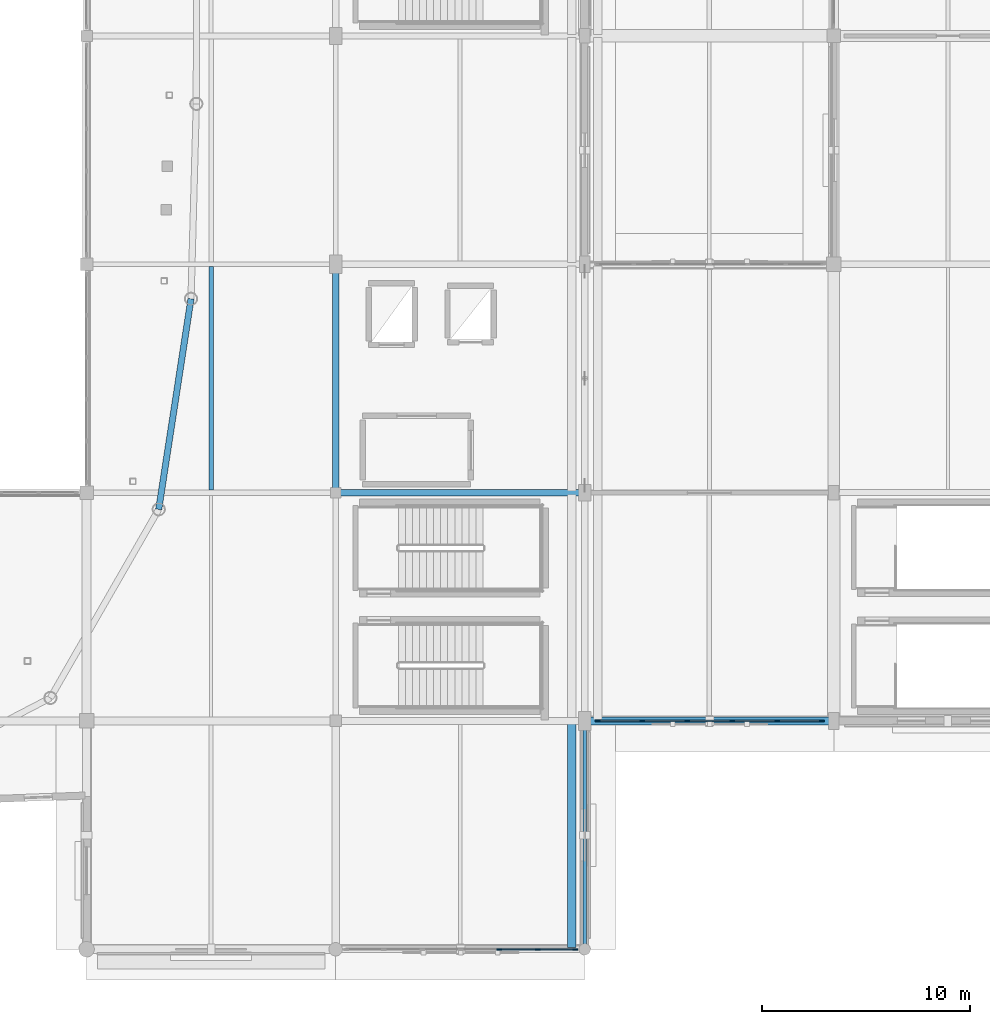
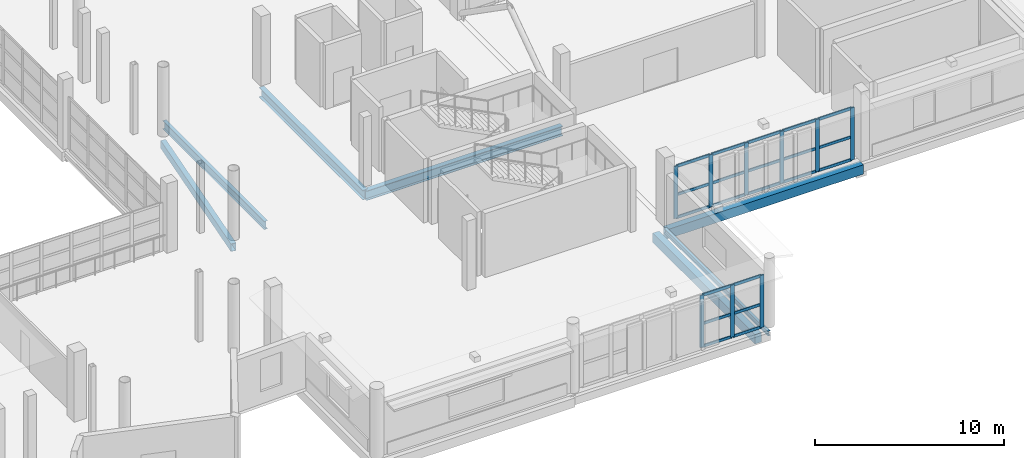
# One storey, part 52 of 118: 30 members, 7 beams, 2 elements without a shape of their own.
"""IFC4 building model written with IfcOpenShell, lengths in metres."""

import ifcopenshell
import ifcopenshell.guid

model = None  # the IFC model being written
_history = None  # IfcOwnerHistory: only IFC2X3 demands one
_inside = {}  # id of a spatial element -> (the spatial element, [elements in it])
_under = {}  # id of a project, library or spatial element -> (it, [spatial elements below it])
_declared = {}  # id of a project -> (the project, [libraries it declares])
_typed = {}  # id of a type object -> (the type object, [elements of that type])
_made_of = {}  # id of a material, layer set ... -> (it, [elements and type objects made of it])


def new_model(schema):
    """Start an empty IFC model of exactly this schema.

    Asked for "IFC4X3", IfcOpenShell would pick the latest addendum, in which some entities
    have other attributes; the version numbers below select the first issue.
    IFC2X3 requires an IfcOwnerHistory on every rooted entity: one is made here for all.
    """
    global model, _history
    if schema == "IFC4X3":
        model = ifcopenshell.file(schema_version=(4, 3, 0, 0))
    else:
        model = ifcopenshell.file(schema=schema)
    _inside.clear()
    _under.clear()
    _declared.clear()
    _typed.clear()
    _made_of.clear()
    _history = None
    if model.schema == "IFC2X3":
        org = make("IfcOrganization", Name="unknown")
        user = make(
            "IfcPersonAndOrganization",
            ThePerson=make("IfcPerson", FamilyName="unknown"),
            TheOrganization=org,
        )
        app = make(
            "IfcApplication",
            ApplicationDeveloper=org,
            Version="unknown",
            ApplicationFullName="unknown",
            ApplicationIdentifier="unknown",
        )
        _history = make(
            "IfcOwnerHistory",
            OwningUser=user,
            OwningApplication=app,
            ChangeAction="ADDED",
            CreationDate=0,
        )
    return model


def make(cls, **values):
    """One entity of the class cls with the attributes given. An attribute that is None is left unset."""
    return model.create_entity(
        cls, **{name: value for name, value in values.items() if value is not None}
    )


def rooted(cls, **values):
    """An entity with a GlobalId (a new one), such as an element, a storey or a relation."""
    return make(cls, GlobalId=ifcopenshell.guid.new(), OwnerHistory=_history, **values)


def si_unit(unit_type, name, prefix=None):
    """IfcSIUnit, for example si_unit("LENGTHUNIT", "METRE", prefix="MILLI")."""
    return make("IfcSIUnit", UnitType=unit_type, Prefix=prefix, Name=name)


def assignment(units):
    """IfcUnitAssignment: the units of a project."""
    return None if units is None else make("IfcUnitAssignment", Units=units)


def point(xyz):
    """IfcCartesianPoint."""
    return None if xyz is None else make("IfcCartesianPoint", Coordinates=xyz)


def direction(xyz):
    """IfcDirection."""
    return None if xyz is None else make("IfcDirection", DirectionRatios=xyz)


def frame(location, z_axis=None, x_axis=None):
    """IfcAxis2Placement3D, a coordinate frame: its origin and axes. An axis left out is left unset."""
    return make(
        "IfcAxis2Placement3D",
        Location=point(location),
        Axis=direction(z_axis),
        RefDirection=direction(x_axis),
    )


def frame_2d(location, x_axis=None):
    """IfcAxis2Placement2D, a coordinate frame in the plane: its origin and x axis."""
    return make(
        "IfcAxis2Placement2D", Location=point(location), RefDirection=direction(x_axis)
    )


def origin():
    """The frame at (0, 0, 0) with its axes left unset."""
    return frame((0.0, 0.0, 0.0))


def origin_2d():
    """The frame at (0, 0) in the plane with its x axis left unset."""
    return frame_2d((0.0, 0.0))


def place(relative_to, where):
    """IfcLocalPlacement: puts the frame where relative to a parent placement (None: the world)."""
    return make(
        "IfcLocalPlacement", PlacementRelTo=relative_to, RelativePlacement=where
    )


def context(
    kind, dimensions, precision=None, world=None, true_north=None, identifier=None
):
    """IfcGeometricRepresentationContext, for example the 3D "Model" context."""
    return make(
        "IfcGeometricRepresentationContext",
        ContextIdentifier=identifier,
        ContextType=kind,
        CoordinateSpaceDimension=dimensions,
        Precision=precision,
        WorldCoordinateSystem=world,
        TrueNorth=true_north,
    )


def subcontext(parent, identifier, kind, view, scale=None):
    """IfcGeometricRepresentationSubContext, for example "Body" below "Model"."""
    return make(
        "IfcGeometricRepresentationSubContext",
        ContextIdentifier=identifier,
        ContextType=kind,
        ParentContext=parent,
        TargetScale=scale,
        TargetView=view,
    )


def project(units=None, contexts=None):
    """IfcProject with its units and contexts."""
    return rooted(
        "IfcProject",
        Name="project",
        RepresentationContexts=contexts,
        UnitsInContext=assignment(units),
    )


def spatial(cls, under=None, at=None, **own):
    """A site, building, storey or space (cls), placed at a placement, below another one or the project."""
    s = rooted(cls, ObjectPlacement=at, **own)
    if under is not None:
        _under.setdefault(under.id(), (under, []))[1].append(s)
    return s


def profile(cls, at=None, kind="AREA", **sizes):
    """A parametric profile (cls). Its sizes go by their IFC names, for example OverallWidth=200.0."""
    return make(cls, ProfileType=kind, Position=at, **sizes)


def rectangle(**sizes):
    """IfcRectangleProfileDef."""
    return profile("IfcRectangleProfileDef", **sizes)


def hollow_rectangle(**sizes):
    """IfcRectangleHollowProfileDef."""
    return profile("IfcRectangleHollowProfileDef", **sizes)


def i_section(**sizes):
    """IfcIShapeProfileDef."""
    return profile("IfcIShapeProfileDef", **sizes)


def extrude(swept, where, along, depth):
    """IfcExtrudedAreaSolid: the profile swept, set in the frame where, extruded along a direction by depth."""
    return make(
        "IfcExtrudedAreaSolid",
        SweptArea=swept,
        Position=where,
        ExtrudedDirection=direction(along),
        Depth=depth,
    )


def shape(context_of_items, identifier, shape_type, items):
    """IfcShapeRepresentation: the items that make up one representation, for example the "Body"."""
    return make(
        "IfcShapeRepresentation",
        ContextOfItems=context_of_items,
        RepresentationIdentifier=identifier,
        RepresentationType=shape_type,
        Items=items,
    )


def material(Name=None, Category=None):
    """IfcMaterial."""
    return make("IfcMaterial", Name=Name, Category=Category)


def material_profile(
    of_material, cross_section, Name=None, Category=None, Priority=None
):
    """IfcMaterialProfile: a cross section and its material."""
    return make(
        "IfcMaterialProfile",
        Name=Name,
        Material=of_material,
        Profile=cross_section,
        Priority=Priority,
        Category=Category,
    )


def profile_set(profiles, Name=None, composite=None):
    """IfcMaterialProfileSet."""
    return make(
        "IfcMaterialProfileSet",
        Name=Name,
        MaterialProfiles=profiles,
        CompositeProfile=composite,
    )


def made_of(thing, what):
    """Note that an element or type object is made of a material, layer set ...; save() writes the relation."""
    if what is not None:
        _made_of.setdefault(what.id(), (what, []))[1].append(thing)
    return thing


def type_object(cls, material=None, **own):
    """A type object (cls), such as IfcWallType, which elements share."""
    return made_of(rooted(cls, **own), material)


def element(
    cls,
    number,
    at=None,
    inside=None,
    cuts=None,
    type_object=None,
    material=None,
    context=None,
    identifier="Body",
    shape_type=None,
    held_by="IfcProductDefinitionShape",
    body=None,
    shapes=None,
    **own,
):
    """One element of the class cls, such as IfcWall. Its Tag is "e" and its number.

    at: its placement. inside: the storey or other place that contains it. cuts: it is an
    opening in that element (IfcRelVoidsElement). A single representation is given by context,
    identifier, shape_type and body (its items); several are given by shapes. held_by: the class
    of the entity that holds the representations. save() writes the other relations.
    """
    e = rooted(cls, Tag="e%d" % number, ObjectPlacement=at, **own)
    if body is not None:
        shapes = [shape(context, identifier, shape_type, body)]
    if shapes is not None:
        e.Representation = make(held_by, Representations=shapes)
    if inside is not None:
        _inside.setdefault(inside.id(), (inside, []))[1].append(e)
    if cuts is not None:
        rooted(
            "IfcRelVoidsElement", RelatingBuildingElement=cuts, RelatedOpeningElement=e
        )
    if type_object is not None:
        _typed.setdefault(type_object.id(), (type_object, []))[1].append(e)
    return made_of(e, material)


def aggregate(whole, parts):
    """IfcRelAggregates: a whole, such as a stair, and the parts it consists of."""
    return rooted("IfcRelAggregates", RelatingObject=whole, RelatedObjects=parts)


def save(model, path):
    """Write the relations noted so far, then the file.

    IfcRelAggregates (storeys below a building ...), IfcRelContainedInSpatialStructure (elements
    in a storey), IfcRelDefinesByType, IfcRelAssociatesMaterial and IfcRelDeclares: one each for
    every whole, place, type object, material and project.
    """
    for whole, parts in _under.values():
        aggregate(whole, parts)
    for where, things in _inside.values():
        rooted(
            "IfcRelContainedInSpatialStructure",
            RelatedElements=things,
            RelatingStructure=where,
        )
    for kind, things in _typed.values():
        rooted("IfcRelDefinesByType", RelatedObjects=things, RelatingType=kind)
    for what, things in _made_of.values():
        rooted("IfcRelAssociatesMaterial", RelatedObjects=things, RelatingMaterial=what)
    for by, libraries in _declared.values():
        rooted("IfcRelDeclares", RelatingContext=by, RelatedDefinitions=libraries)
    model.write(path)


model = new_model("IFC4")

# Units and contexts
model_context = context("Model", 3, precision=1e-05, world=origin(), true_north=direction((0.0, 1.0)))
body_context = subcontext(model_context, "Body", "Model", "MODEL_VIEW")
ifc_project = project(units=[si_unit("LENGTHUNIT", "METRE"), si_unit("AREAUNIT", "SQUARE_METRE"), si_unit("VOLUMEUNIT", "CUBIC_METRE"), si_unit("PLANEANGLEUNIT", "RADIAN"), si_unit("MASSUNIT", "GRAM", prefix="KILO")], contexts=[model_context])

# Site, building, storey
site_placement = place(None, origin())
site = spatial("IfcSite", under=ifc_project, at=site_placement, CompositionType="ELEMENT")
building_placement = place(site_placement, origin())
building = spatial("IfcBuilding", under=site, at=building_placement, Name="Luwafu Chhajja Arena", CompositionType="ELEMENT")
storey_placement = place(building_placement, frame((0.0, 0.0, 10.199951171875)))
storey = spatial("IfcBuildingStorey", under=building, at=storey_placement, Name="L02", CompositionType="ELEMENT", Elevation=10.199951171875)

# Curtain wall, members
ifc_material_1 = material(Name="Anodised bronze aluminium", Category="aluminium")
curtain_wall_type_1 = type_object("IfcCurtainWallType", Name="Media Ribbon Curtain Wall", PredefinedType="USERDEFINED", material=ifc_material_1)
curtain_wall_1_placement = place(storey_placement, origin())
curtain_wall_1 = element("IfcCurtainWall", 1, at=curtain_wall_1_placement, inside=storey, type_object=curtain_wall_type_1, Name="L02 Curtain Wall CWG-L02-H13_00", ObjectType="CURTAIN WALL", PredefinedType="USERDEFINED")
ifc_material_profile_1 = material_profile(ifc_material_1, rectangle(XDim=0.070068359375, YDim=0.239990234375, at=origin_2d()), Name="CWM 70x240")
ifc_profile_set_1 = profile_set([ifc_material_profile_1], Name="Anodised bronze aluminium")
member_type_1 = type_object("IfcMemberType", Name="Bronze Curtain Wall Mullion 70x240", PredefinedType="MULLION", material=ifc_profile_set_1)
member_1_placement = place(storey_placement, frame((159.87841796875, 0.0, 0.030029296875), z_axis=(0.0, 0.0, 1.0), x_axis=(0.0, 1.0, 0.0)))
member_1 = element("IfcMember", 2, at=member_1_placement, type_object=member_type_1, Name="CW-03 mullion 5", PredefinedType="MULLION", context=body_context, shape_type="SweptSolid", body=[
    extrude(rectangle(XDim=0.070068359375, YDim=0.239990234375, at=origin_2d()), origin(), (0.0, 0.0, 1.0), 3.375),
])
member_2_placement = place(storey_placement, frame((161.731689453125, 0.0, 0.030029296875), z_axis=(0.0, 0.0, 1.0), x_axis=(0.0, 1.0, 0.0)))
member_2 = element("IfcMember", 3, at=member_2_placement, type_object=member_type_1, Name="CW-03 mullion 6", PredefinedType="MULLION", context=body_context, shape_type="SweptSolid", body=[
    extrude(rectangle(XDim=0.070068359375, YDim=0.239990234375, at=origin_2d()), origin(), (0.0, 0.0, 1.0), 3.375),
])
member_3_placement = place(storey_placement, frame((163.550048828125, 0.0, 0.030029296875), z_axis=(0.0, 0.0, 1.0), x_axis=(0.0, 1.0, 0.0)))
member_3 = element("IfcMember", 4, at=member_3_placement, type_object=member_type_1, Name="CW-03 mullion 7", PredefinedType="MULLION", context=body_context, shape_type="SweptSolid", body=[
    extrude(rectangle(XDim=0.070068359375, YDim=0.239990234375, at=origin_2d()), origin(), (0.0, 0.0, 1.0), 3.375),
])

curtain_wall_type_2 = type_object("IfcCurtainWallType", Name="Warm-Up Gallery Curtain Wall", PredefinedType="USERDEFINED", material=ifc_material_1)
curtain_wall_2_placement = place(storey_placement, origin())
curtain_wall_2 = element("IfcCurtainWall", 5, at=curtain_wall_2_placement, inside=storey, type_object=curtain_wall_type_2, Name="L02 Curtain Wall CWG-L02-H14_01", ObjectType="CURTAIN WALL", PredefinedType="USERDEFINED")
member_4_placement = place(storey_placement, frame((164.625, 11.0, 0.030029296875), z_axis=(0.0, 0.0, 1.0), x_axis=(0.0, 1.0, 0.0)))
member_4 = element("IfcMember", 6, at=member_4_placement, type_object=member_type_1, Name="CW-08 mullion 1", PredefinedType="MULLION", context=body_context, shape_type="SweptSolid", body=[
    extrude(rectangle(XDim=0.070068359375, YDim=0.239990234375, at=origin_2d()), origin(), (0.0, 0.0, 1.0), 3.375),
])
member_5_placement = place(storey_placement, frame((166.763916015625, 11.0, 0.030029296875), z_axis=(0.0, 0.0, 1.0), x_axis=(0.0, 1.0, 0.0)))
member_5 = element("IfcMember", 7, at=member_5_placement, type_object=member_type_1, Name="CW-08 mullion 2", PredefinedType="MULLION", context=body_context, shape_type="SweptSolid", body=[
    extrude(rectangle(XDim=0.070068359375, YDim=0.239990234375, at=origin_2d()), origin(), (0.0, 0.0, 1.0), 3.375),
])
member_6_placement = place(storey_placement, frame((168.93798828125, 11.0, 0.030029296875), z_axis=(0.0, 0.0, 1.0), x_axis=(0.0, 1.0, 0.0)))
member_6 = element("IfcMember", 8, at=member_6_placement, type_object=member_type_1, Name="CW-08 mullion 3", PredefinedType="MULLION", context=body_context, shape_type="SweptSolid", body=[
    extrude(rectangle(XDim=0.070068359375, YDim=0.239990234375, at=origin_2d()), origin(), (0.0, 0.0, 1.0), 3.375),
])
member_7_placement = place(storey_placement, frame((171.112060546875, 11.0, 0.030029296875), z_axis=(0.0, 0.0, 1.0), x_axis=(0.0, 1.0, 0.0)))
member_7 = element("IfcMember", 9, at=member_7_placement, type_object=member_type_1, Name="CW-08 mullion 4", PredefinedType="MULLION", context=body_context, shape_type="SweptSolid", body=[
    extrude(rectangle(XDim=0.070068359375, YDim=0.239990234375, at=origin_2d()), origin(), (0.0, 0.0, 1.0), 3.375),
])
member_8_placement = place(storey_placement, frame((173.285888671875, 11.0, 0.030029296875), z_axis=(0.0, 0.0, 1.0), x_axis=(0.0, 1.0, 0.0)))
member_8 = element("IfcMember", 10, at=member_8_placement, type_object=member_type_1, Name="CW-08 mullion 5", PredefinedType="MULLION", context=body_context, shape_type="SweptSolid", body=[
    extrude(rectangle(XDim=0.070068359375, YDim=0.239990234375, at=origin_2d()), origin(), (0.0, 0.0, 1.0), 3.375),
])
member_9_placement = place(storey_placement, frame((175.425048828125, 11.0, 0.030029296875), z_axis=(0.0, 0.0, 1.0), x_axis=(0.0, 1.0, 0.0)))
member_9 = element("IfcMember", 11, at=member_9_placement, type_object=member_type_1, Name="CW-08 mullion 6", PredefinedType="MULLION", context=body_context, shape_type="SweptSolid", body=[
    extrude(rectangle(XDim=0.070068359375, YDim=0.239990234375, at=origin_2d()), origin(), (0.0, 0.0, 1.0), 3.375),
])

# Member
ifc_material_profile_2 = material_profile(ifc_material_1, rectangle(XDim=0.070068359375, YDim=0.179931640625, at=origin_2d()), Name="CWT 70x180")
ifc_profile_set_2 = profile_set([ifc_material_profile_2], Name="Anodised bronze aluminium")
member_type_2 = type_object("IfcMemberType", Name="Bronze Curtain Wall Transom 70x180", PredefinedType="USERDEFINED", material=ifc_profile_set_2)
member_10_placement = place(storey_placement, frame((159.913330078125, 0.0, 0.06494140625), z_axis=(1.0, 0.0, 0.0), x_axis=(0.0, 1.0, 0.0)))
member_10 = element("IfcMember", 12, at=member_10_placement, type_object=member_type_2, Name="CW-03 transom 5.1", ObjectType="TRANSOM", PredefinedType="USERDEFINED", context=body_context, shape_type="SweptSolid", body=[
    extrude(rectangle(XDim=0.070068359375, YDim=0.179931640625, at=origin_2d()), origin(), (0.0, 0.0, 1.0), 1.783447265625),
])

member_11_placement = place(storey_placement, frame((159.913330078125, 0.0, 1.532470703125), z_axis=(1.0, 0.0, 0.0), x_axis=(0.0, 1.0, 0.0)))
member_11 = element("IfcMember", 13, at=member_11_placement, type_object=member_type_2, Name="CW-03 transom 5.2", ObjectType="TRANSOM", PredefinedType="USERDEFINED", context=body_context, shape_type="SweptSolid", body=[
    extrude(rectangle(XDim=0.070068359375, YDim=0.179931640625, at=origin_2d()), origin(), (0.0, 0.0, 1.0), 1.783447265625),
])

member_12_placement = place(storey_placement, frame((159.913330078125, 0.0, 3.3701171875), z_axis=(1.0, 0.0, 0.0), x_axis=(0.0, 1.0, 0.0)))
member_12 = element("IfcMember", 14, at=member_12_placement, type_object=member_type_2, Name="CW-03 transom 5.3", ObjectType="TRANSOM", PredefinedType="USERDEFINED", context=body_context, shape_type="SweptSolid", body=[
    extrude(rectangle(XDim=0.070068359375, YDim=0.179931640625, at=origin_2d()), origin(), (0.0, 0.0, 1.0), 1.783447265625),
])

member_13_placement = place(storey_placement, frame((161.7666015625, 0.0, 0.06494140625), z_axis=(1.0, 0.0, 0.0), x_axis=(0.0, 1.0, 0.0)))
member_13 = element("IfcMember", 15, at=member_13_placement, type_object=member_type_2, Name="CW-03 transom 6.1", ObjectType="TRANSOM", PredefinedType="USERDEFINED", context=body_context, shape_type="SweptSolid", body=[
    extrude(rectangle(XDim=0.070068359375, YDim=0.179931640625, at=origin_2d()), origin(), (0.0, 0.0, 1.0), 1.748291015625),
])

member_14_placement = place(storey_placement, frame((161.7666015625, 0.0, 1.532470703125), z_axis=(1.0, 0.0, 0.0), x_axis=(0.0, 1.0, 0.0)))
member_14 = element("IfcMember", 16, at=member_14_placement, type_object=member_type_2, Name="CW-03 transom 6.2", ObjectType="TRANSOM", PredefinedType="USERDEFINED", context=body_context, shape_type="SweptSolid", body=[
    extrude(rectangle(XDim=0.070068359375, YDim=0.179931640625, at=origin_2d()), origin(), (0.0, 0.0, 1.0), 1.748291015625),
])

member_15_placement = place(storey_placement, frame((161.7666015625, 0.0, 3.3701171875), z_axis=(1.0, 0.0, 0.0), x_axis=(0.0, 1.0, 0.0)))
member_15 = element("IfcMember", 17, at=member_15_placement, type_object=member_type_2, Name="CW-03 transom 6.3", ObjectType="TRANSOM", PredefinedType="USERDEFINED", context=body_context, shape_type="SweptSolid", body=[
    extrude(rectangle(XDim=0.070068359375, YDim=0.179931640625, at=origin_2d()), origin(), (0.0, 0.0, 1.0), 1.748291015625),
])

aggregate(curtain_wall_1, [member_1, member_2, member_3, member_10, member_11, member_12, member_13, member_14, member_15])

member_16_placement = place(storey_placement, frame((164.659912109375, 11.0, 0.06494140625), z_axis=(1.0, 0.0, 0.0), x_axis=(0.0, 1.0, 0.0)))
member_16 = element("IfcMember", 18, at=member_16_placement, type_object=member_type_2, Name="CW-08 transom 1.1", ObjectType="TRANSOM", PredefinedType="USERDEFINED", context=body_context, shape_type="SweptSolid", body=[
    extrude(rectangle(XDim=0.070068359375, YDim=0.179931640625, at=origin_2d()), origin(), (0.0, 0.0, 1.0), 2.069091796875),
])

member_17_placement = place(storey_placement, frame((164.659912109375, 11.0, 1.532470703125), z_axis=(1.0, 0.0, 0.0), x_axis=(0.0, 1.0, 0.0)))
member_17 = element("IfcMember", 19, at=member_17_placement, type_object=member_type_2, Name="CW-08 transom 1.2", ObjectType="TRANSOM", PredefinedType="USERDEFINED", context=body_context, shape_type="SweptSolid", body=[
    extrude(rectangle(XDim=0.070068359375, YDim=0.179931640625, at=origin_2d()), origin(), (0.0, 0.0, 1.0), 2.069091796875),
])

member_18_placement = place(storey_placement, frame((164.659912109375, 11.0, 3.3701171875), z_axis=(1.0, 0.0, 0.0), x_axis=(0.0, 1.0, 0.0)))
member_18 = element("IfcMember", 20, at=member_18_placement, type_object=member_type_2, Name="CW-08 transom 1.3", ObjectType="TRANSOM", PredefinedType="USERDEFINED", context=body_context, shape_type="SweptSolid", body=[
    extrude(rectangle(XDim=0.070068359375, YDim=0.179931640625, at=origin_2d()), origin(), (0.0, 0.0, 1.0), 2.069091796875),
])

member_19_placement = place(storey_placement, frame((166.799072265625, 11.0, 0.06494140625), z_axis=(1.0, 0.0, 0.0), x_axis=(0.0, 1.0, 0.0)))
member_19 = element("IfcMember", 21, at=member_19_placement, type_object=member_type_2, Name="CW-08 transom 2.1", ObjectType="TRANSOM", PredefinedType="USERDEFINED", context=body_context, shape_type="SweptSolid", body=[
    extrude(rectangle(XDim=0.070068359375, YDim=0.179931640625, at=origin_2d()), origin(), (0.0, 0.0, 1.0), 2.10400390625),
])

member_20_placement = place(storey_placement, frame((166.799072265625, 11.0, 1.532470703125), z_axis=(1.0, 0.0, 0.0), x_axis=(0.0, 1.0, 0.0)))
member_20 = element("IfcMember", 22, at=member_20_placement, type_object=member_type_2, Name="CW-08 transom 2.2", ObjectType="TRANSOM", PredefinedType="USERDEFINED", context=body_context, shape_type="SweptSolid", body=[
    extrude(rectangle(XDim=0.070068359375, YDim=0.179931640625, at=origin_2d()), origin(), (0.0, 0.0, 1.0), 2.10400390625),
])

member_21_placement = place(storey_placement, frame((166.799072265625, 11.0, 3.3701171875), z_axis=(1.0, 0.0, 0.0), x_axis=(0.0, 1.0, 0.0)))
member_21 = element("IfcMember", 23, at=member_21_placement, type_object=member_type_2, Name="CW-08 transom 2.3", ObjectType="TRANSOM", PredefinedType="USERDEFINED", context=body_context, shape_type="SweptSolid", body=[
    extrude(rectangle(XDim=0.070068359375, YDim=0.179931640625, at=origin_2d()), origin(), (0.0, 0.0, 1.0), 2.10400390625),
])

member_22_placement = place(storey_placement, frame((168.972900390625, 11.0, 0.06494140625), z_axis=(1.0, 0.0, 0.0), x_axis=(0.0, 1.0, 0.0)))
member_22 = element("IfcMember", 24, at=member_22_placement, type_object=member_type_2, Name="CW-08 transom 3.1", ObjectType="TRANSOM", PredefinedType="USERDEFINED", context=body_context, shape_type="SweptSolid", body=[
    extrude(rectangle(XDim=0.070068359375, YDim=0.179931640625, at=origin_2d()), origin(), (0.0, 0.0, 1.0), 2.10400390625),
])

member_23_placement = place(storey_placement, frame((168.972900390625, 11.0, 1.532470703125), z_axis=(1.0, 0.0, 0.0), x_axis=(0.0, 1.0, 0.0)))
member_23 = element("IfcMember", 25, at=member_23_placement, type_object=member_type_2, Name="CW-08 transom 3.2", ObjectType="TRANSOM", PredefinedType="USERDEFINED", context=body_context, shape_type="SweptSolid", body=[
    extrude(rectangle(XDim=0.070068359375, YDim=0.179931640625, at=origin_2d()), origin(), (0.0, 0.0, 1.0), 2.10400390625),
])

member_24_placement = place(storey_placement, frame((168.972900390625, 11.0, 3.3701171875), z_axis=(1.0, 0.0, 0.0), x_axis=(0.0, 1.0, 0.0)))
member_24 = element("IfcMember", 26, at=member_24_placement, type_object=member_type_2, Name="CW-08 transom 3.3", ObjectType="TRANSOM", PredefinedType="USERDEFINED", context=body_context, shape_type="SweptSolid", body=[
    extrude(rectangle(XDim=0.070068359375, YDim=0.179931640625, at=origin_2d()), origin(), (0.0, 0.0, 1.0), 2.10400390625),
])

member_25_placement = place(storey_placement, frame((171.14697265625, 11.0, 0.06494140625), z_axis=(1.0, 0.0, 0.0), x_axis=(0.0, 1.0, 0.0)))
member_25 = element("IfcMember", 27, at=member_25_placement, type_object=member_type_2, Name="CW-08 transom 4.1", ObjectType="TRANSOM", PredefinedType="USERDEFINED", context=body_context, shape_type="SweptSolid", body=[
    extrude(rectangle(XDim=0.070068359375, YDim=0.179931640625, at=origin_2d()), origin(), (0.0, 0.0, 1.0), 2.10400390625),
])

member_26_placement = place(storey_placement, frame((171.14697265625, 11.0, 1.532470703125), z_axis=(1.0, 0.0, 0.0), x_axis=(0.0, 1.0, 0.0)))
member_26 = element("IfcMember", 28, at=member_26_placement, type_object=member_type_2, Name="CW-08 transom 4.2", ObjectType="TRANSOM", PredefinedType="USERDEFINED", context=body_context, shape_type="SweptSolid", body=[
    extrude(rectangle(XDim=0.070068359375, YDim=0.179931640625, at=origin_2d()), origin(), (0.0, 0.0, 1.0), 2.10400390625),
])

member_27_placement = place(storey_placement, frame((171.14697265625, 11.0, 3.3701171875), z_axis=(1.0, 0.0, 0.0), x_axis=(0.0, 1.0, 0.0)))
member_27 = element("IfcMember", 29, at=member_27_placement, type_object=member_type_2, Name="CW-08 transom 4.3", ObjectType="TRANSOM", PredefinedType="USERDEFINED", context=body_context, shape_type="SweptSolid", body=[
    extrude(rectangle(XDim=0.070068359375, YDim=0.179931640625, at=origin_2d()), origin(), (0.0, 0.0, 1.0), 2.10400390625),
])

member_28_placement = place(storey_placement, frame((173.321044921875, 11.0, 0.06494140625), z_axis=(1.0, 0.0, 0.0), x_axis=(0.0, 1.0, 0.0)))
member_28 = element("IfcMember", 30, at=member_28_placement, type_object=member_type_2, Name="CW-08 transom 5.1", ObjectType="TRANSOM", PredefinedType="USERDEFINED", context=body_context, shape_type="SweptSolid", body=[
    extrude(rectangle(XDim=0.070068359375, YDim=0.179931640625, at=origin_2d()), origin(), (0.0, 0.0, 1.0), 2.06884765625),
])

member_29_placement = place(storey_placement, frame((173.321044921875, 11.0, 1.532470703125), z_axis=(1.0, 0.0, 0.0), x_axis=(0.0, 1.0, 0.0)))
member_29 = element("IfcMember", 31, at=member_29_placement, type_object=member_type_2, Name="CW-08 transom 5.2", ObjectType="TRANSOM", PredefinedType="USERDEFINED", context=body_context, shape_type="SweptSolid", body=[
    extrude(rectangle(XDim=0.070068359375, YDim=0.179931640625, at=origin_2d()), origin(), (0.0, 0.0, 1.0), 2.06884765625),
])

member_30_placement = place(storey_placement, frame((173.321044921875, 11.0, 3.3701171875), z_axis=(1.0, 0.0, 0.0), x_axis=(0.0, 1.0, 0.0)))
member_30 = element("IfcMember", 32, at=member_30_placement, type_object=member_type_2, Name="CW-08 transom 5.3", ObjectType="TRANSOM", PredefinedType="USERDEFINED", context=body_context, shape_type="SweptSolid", body=[
    extrude(rectangle(XDim=0.070068359375, YDim=0.179931640625, at=origin_2d()), origin(), (0.0, 0.0, 1.0), 2.06884765625),
])

aggregate(curtain_wall_2, [member_4, member_5, member_6, member_7, member_8, member_9, member_16, member_17, member_18, member_19, member_20, member_21, member_22, member_23, member_24, member_25, member_26, member_27, member_28, member_29, member_30])

# Beams
ifc_material_2 = material(Name="Steel S355", Category="steel")
ifc_material_profile_3 = material_profile(ifc_material_2, i_section(OverallWidth=0.165771484375, OverallDepth=0.306640625, WebThickness=0.006591796875, FlangeThickness=0.01171875, at=origin_2d()), Name="UB 305x165x46")
ifc_profile_set_3 = profile_set([ifc_material_profile_3], Name="Steel S355")
beam_type_1 = type_object("IfcBeamType", Name="Concourse Edge Spandrel Beam UB 305x165x46", PredefinedType="SPANDREL", material=ifc_profile_set_3)
beam_1_placement = place(storey_placement, frame((164.0, 0.0, -0.543212890625), z_axis=(0.0, 1.0, 0.0), x_axis=(-1.0, 0.0, 0.0)))
element("IfcBeam", 33, at=beam_1_placement, inside=storey, type_object=beam_type_1, Name="L02 Grid Beam 15/A-B", PredefinedType="SPANDREL", context=body_context, shape_type="SweptSolid", body=[
    extrude(i_section(OverallWidth=0.165771484375, OverallDepth=0.306640625, WebThickness=0.006591796875, FlangeThickness=0.01171875, at=origin_2d()), origin(), (0.0, 0.0, 1.0), 11.0),
])
ifc_material_profile_4 = material_profile(ifc_material_2, i_section(OverallWidth=0.2099609375, OverallDepth=0.53662109375, WebThickness=0.0107421875, FlangeThickness=0.017333984375, at=origin_2d()), Name="UB 533x210x101")
ifc_profile_set_4 = profile_set([ifc_material_profile_4], Name="Steel S355")
beam_type_2 = type_object("IfcBeamType", Name="Floor Joist UB 533x210x101", PredefinedType="JOIST", material=ifc_profile_set_4)
beam_2_placement = place(storey_placement, frame((146.0, 22.126953125, -0.658203125), z_axis=(0.0, 1.0, 0.0), x_axis=(-1.0, 0.0, 0.0)))
element("IfcBeam", 34, at=beam_2_placement, inside=storey, type_object=beam_type_2, Name="L02 Secondary Joist 13-14/C", PredefinedType="JOIST", context=body_context, shape_type="SweptSolid", body=[
    extrude(i_section(OverallWidth=0.2099609375, OverallDepth=0.53662109375, WebThickness=0.0107421875, FlangeThickness=0.017333984375, at=origin_2d()), origin(), (0.0, 0.0, 1.0), 10.758544921875),
])
ifc_material_profile_5 = material_profile(ifc_material_2, hollow_rectangle(XDim=0.300048828125, YDim=0.5, WallThickness=0.02001953125, at=origin_2d()), Name="RHS 500x300x20")
ifc_profile_set_5 = profile_set([ifc_material_profile_5], Name="Steel S355")
beam_type_3 = type_object("IfcBeamType", Name="Pleated Drum Spandrel Beam RHS 500x300", PredefinedType="SPANDREL", material=ifc_profile_set_5)
beam_3_placement = place(storey_placement, frame((143.47607421875, 21.194091796875, -0.639892578125), z_axis=(0.1515977802, 0.988442265911, 0.0), x_axis=(-0.988442265911, 0.1515977802, 0.0)))
element("IfcBeam", 35, at=beam_3_placement, inside=storey, type_object=beam_type_3, Name="L02 Drum Ring Spandrel D30-D31", PredefinedType="SPANDREL", context=body_context, shape_type="SweptSolid", body=[
    extrude(hollow_rectangle(XDim=0.300048828125, YDim=0.5, WallThickness=0.02001953125, at=origin_2d()), origin(), (0.0, 0.0, 1.0), 10.263427734375),
])
ifc_material_3 = material(Name="Concrete C35/45", Category="concrete")
ifc_material_profile_6 = material_profile(ifc_material_3, rectangle(XDim=0.39990234375, YDim=0.60009765625, at=origin_2d()), Name="RC 400x600")
ifc_profile_set_6 = profile_set([ifc_material_profile_6], Name="Concrete C35/45")
beam_type_4 = type_object("IfcBeamType", Name="Podium Perimeter Spandrel RC 400x600", PredefinedType="SPANDREL", material=ifc_profile_set_6)
beam_4_placement = place(storey_placement, frame((164.0, 11.0, -0.68994140625), z_axis=(1.0, 0.0, 0.0), x_axis=(0.0, 1.0, 0.0)))
element("IfcBeam", 36, at=beam_4_placement, inside=storey, type_object=beam_type_4, Name="L02 Grid Beam 15-16/B", PredefinedType="SPANDREL", context=body_context, shape_type="SweptSolid", body=[
    extrude(rectangle(XDim=0.39990234375, YDim=0.60009765625, at=origin_2d()), origin(), (0.0, 0.0, 1.0), 12.0),
])
beam_5_placement = place(storey_placement, frame((163.3798828125, 0.080078125, -0.68994140625), z_axis=(0.0, 1.0, 0.0), x_axis=(-1.0, 0.0, 0.0)))
element("IfcBeam", 37, at=beam_5_placement, inside=storey, type_object=beam_type_4, Name="L02 Movement Joint MJ2W Seat Girder 00", PredefinedType="SPANDREL", context=body_context, shape_type="SweptSolid", body=[
    extrude(rectangle(XDim=0.39990234375, YDim=0.60009765625, at=origin_2d()), origin(), (0.0, 0.0, 1.0), 10.83984375),
])
ifc_material_profile_7 = material_profile(ifc_material_2, i_section(OverallWidth=0.30712890625, OverallDepth=0.6201171875, WebThickness=0.01416015625, FlangeThickness=0.023681640625, at=origin_2d()), Name="UB 610x305x179")
ifc_profile_set_7 = profile_set([ifc_material_profile_7], Name="Steel S355")
beam_type_5 = type_object("IfcBeamType", Name="Steel Hospitality Girder UB 610x305x179", PredefinedType="BEAM", material=ifc_profile_set_7)
beam_6_placement = place(storey_placement, frame((152.0, 22.0, -0.699951171875), z_axis=(1.0, 0.0, 0.0), x_axis=(0.0, 1.0, 0.0)))
element("IfcBeam", 38, at=beam_6_placement, inside=storey, type_object=beam_type_5, Name="L02 Grid Beam 14-15/C", PredefinedType="BEAM", context=body_context, shape_type="SweptSolid", body=[
    extrude(i_section(OverallWidth=0.30712890625, OverallDepth=0.6201171875, WebThickness=0.01416015625, FlangeThickness=0.023681640625, at=origin_2d()), origin(), (0.0, 0.0, 1.0), 12.0),
])
beam_7_placement = place(storey_placement, frame((152.0, 22.0, -0.699951171875), z_axis=(0.0, 1.0, 0.0), x_axis=(-1.0, 0.0, 0.0)))
element("IfcBeam", 39, at=beam_7_placement, inside=storey, type_object=beam_type_5, Name="L02 Grid Beam 14/C-D", PredefinedType="BEAM", context=body_context, shape_type="SweptSolid", body=[
    extrude(i_section(OverallWidth=0.30712890625, OverallDepth=0.6201171875, WebThickness=0.01416015625, FlangeThickness=0.023681640625, at=origin_2d()), origin(), (0.0, 0.0, 1.0), 11.0),
])

save(model, "model.ifc")
